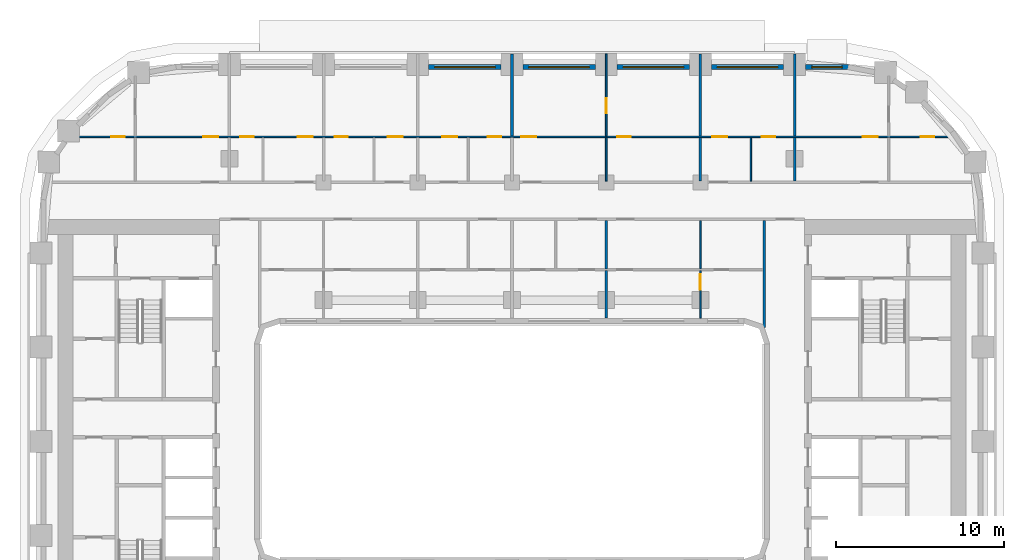
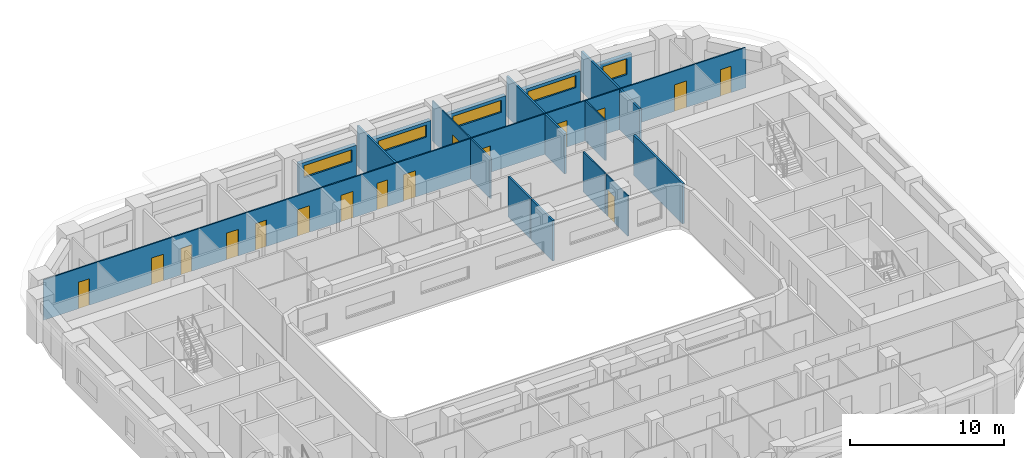
# One storey, part 9 of 21: 19 walls, 16 doors, 5 windows, 21 openings.
"""IFC4 building model written with IfcOpenShell, lengths in metres."""

from ifc_helpers import new_model, si_unit, direction, frame, frame_2d, origin, place, context, subcontext, project, spatial, rectangle, extrude, material, layer, layer_set, type_object, element, fill, save


model = new_model("IFC4")

# Units and contexts
model_context = context("Model", 3, precision=1e-05, world=origin(), true_north=direction((0.0, 1.0)))
body_context = subcontext(model_context, "Body", "Model", "MODEL_VIEW")
ifc_project = project(units=[si_unit("LENGTHUNIT", "METRE"), si_unit("AREAUNIT", "SQUARE_METRE"), si_unit("VOLUMEUNIT", "CUBIC_METRE"), si_unit("PLANEANGLEUNIT", "RADIAN"), si_unit("MASSUNIT", "GRAM", prefix="KILO")], contexts=[model_context])

# Site, building, storey
site_placement = place(None, origin())
site = spatial("IfcSite", under=ifc_project, at=site_placement, CompositionType="ELEMENT")
building_placement = place(site_placement, origin())
building = spatial("IfcBuilding", under=site, at=building_placement, Name="Kiln Ring Residences", CompositionType="ELEMENT")
storey_placement = place(building_placement, frame((0.0, 0.0, 100.800048828125)))
storey = spatial("IfcBuildingStorey", under=building, at=storey_placement, Name="L25", CompositionType="ELEMENT", Elevation=100.800048828125)

# Wall, opening, window
ifc_material_1 = material(Name="Brick masonry, dark clay brick", Category="masonry")
ifc_layer_1 = layer(ifc_material_1, 0.300048828125)
ifc_layer_set_1 = layer_set([ifc_layer_1], Name="EW-300 BRICK WALL")
wall_type_1 = type_object("IfcWallType", Name="EW-300 BRICK WALL", PredefinedType="SOLIDWALL", material=ifc_layer_set_1)
wall_1_placement = place(storey_placement, frame((20.0, 22.25, 0.0), z_axis=(0.0, 0.0, 1.0), x_axis=(-1.0, 0.0, 0.0)))
wall_1 = element("IfcWall", 1, at=wall_1_placement, inside=storey, type_object=wall_type_1, Name="Facade wall L25 28", PredefinedType="SOLIDWALL", context=body_context, shape_type="SweptSolid", body=[
    extrude(rectangle(XDim=2.550048828125, YDim=0.300048828125, at=frame_2d((1.27490234375, 0.0))), origin(), (0.0, 0.0, 1.0), 2.39990234375),
])
opening_1_placement = place(wall_1_placement, frame((0.375, 0.0, 0.89990234375)))
opening_1 = element("IfcOpeningElement", 2, at=opening_1_placement, cuts=wall_1, Name="Opening W2", PredefinedType="OPENING", context=body_context, shape_type="SweptSolid", body=[
    extrude(rectangle(XDim=1.800048828125, YDim=1.25, at=frame_2d((0.89990234375, 0.625))), frame((0.0, 0.159912109375, 0.0), z_axis=(0.0, -1.0, 0.0), x_axis=(1.0, 0.0, 0.0)), (0.0, 0.0, 1.0), 0.320068359375),
])
ifc_material_2 = material(Name="Aluminium frame with double glazing", Category="aluminium")
window_type_1 = type_object("IfcWindowType", Name="WINDOW 1800 x 1250", PartitioningType="SINGLE_PANEL", PredefinedType="WINDOW", material=ifc_material_2)
window_1_placement = place(opening_1_placement, origin())
window_1 = element("IfcWindow", 3, at=window_1_placement, inside=storey, type_object=window_type_1, Name="Window L25 13", OverallHeight=1.25, OverallWidth=1.800048828125, PartitioningType="SINGLE_PANEL", PredefinedType="WINDOW", context=body_context, shape_type="SweptSolid", body=[
    extrude(rectangle(XDim=1.800048828125, YDim=1.25, at=frame_2d((0.89990234375, 0.625))), frame((0.0, 0.030029296875, 0.0), z_axis=(0.0, -1.0, 0.0), x_axis=(1.0, 0.0, 0.0)), (0.0, 0.0, 1.0), 0.06005859375),
])
fill(opening_1, window_1)

wall_2_placement = place(storey_placement, frame((16.14990234375, 22.25, 0.0), z_axis=(0.0, 0.0, 1.0), x_axis=(-1.0, 0.0, 0.0)))
wall_2 = element("IfcWall", 4, at=wall_2_placement, inside=storey, type_object=wall_type_1, Name="Facade wall L25 29", PredefinedType="SOLIDWALL", context=body_context, shape_type="SweptSolid", body=[
    extrude(rectangle(XDim=4.2998046875, YDim=0.300048828125, at=frame_2d((2.14990234375, 0.0))), origin(), (0.0, 0.0, 1.0), 2.39990234375),
])
opening_2_placement = place(wall_2_placement, frame((0.35009765625, 0.0, 1.199951171875)))
opening_2 = element("IfcOpeningElement", 5, at=opening_2_placement, cuts=wall_2, Name="Opening W4", PredefinedType="OPENING", context=body_context, shape_type="SweptSolid", body=[
    extrude(rectangle(XDim=3.60009765625, YDim=0.949951171875, at=frame_2d((1.800048828125, 0.47509765625))), frame((0.0, 0.159912109375, 0.0), z_axis=(0.0, -1.0, 0.0), x_axis=(1.0, 0.0, 0.0)), (0.0, 0.0, 1.0), 0.320068359375),
])
ifc_material_3 = material(Name="Aluminium frame with double glazing", Category="aluminium")
window_type_2 = type_object("IfcWindowType", Name="WINDOW 3600 x 950", PartitioningType="SINGLE_PANEL", PredefinedType="WINDOW", material=ifc_material_3)
window_2_placement = place(opening_2_placement, origin())
window_2 = element("IfcWindow", 6, at=window_2_placement, inside=storey, type_object=window_type_2, Name="Window L25 14", OverallHeight=0.949951171875, OverallWidth=3.60009765625, PartitioningType="SINGLE_PANEL", PredefinedType="WINDOW", context=body_context, shape_type="SweptSolid", body=[
    extrude(rectangle(XDim=3.60009765625, YDim=0.949951171875, at=frame_2d((1.800048828125, 0.47509765625))), frame((0.0, 0.030029296875, 0.0), z_axis=(0.0, -1.0, 0.0), x_axis=(1.0, 0.0, 0.0)), (0.0, 0.0, 1.0), 0.06005859375),
])
fill(opening_2, window_2)

wall_3_placement = place(storey_placement, frame((10.550048828125, 22.25, 0.0), z_axis=(0.0, 0.0, 1.0), x_axis=(-1.0, 0.0, 0.0)))
wall_3 = element("IfcWall", 7, at=wall_3_placement, inside=storey, type_object=wall_type_1, Name="Facade wall L25 30", PredefinedType="SOLIDWALL", context=body_context, shape_type="SweptSolid", body=[
    extrude(rectangle(XDim=4.300048828125, YDim=0.300048828125, at=frame_2d((2.14990234375, 0.0))), origin(), (0.0, 0.0, 1.0), 2.39990234375),
])
opening_3_placement = place(wall_3_placement, frame((0.35009765625, 0.0, 1.199951171875)))
opening_3 = element("IfcOpeningElement", 8, at=opening_3_placement, cuts=wall_3, Name="Opening W4", PredefinedType="OPENING", context=body_context, shape_type="SweptSolid", body=[
    extrude(rectangle(XDim=3.60009765625, YDim=0.949951171875, at=frame_2d((1.800048828125, 0.47509765625))), frame((0.0, 0.159912109375, 0.0), z_axis=(0.0, -1.0, 0.0), x_axis=(1.0, 0.0, 0.0)), (0.0, 0.0, 1.0), 0.320068359375),
])
window_3_placement = place(opening_3_placement, origin())
window_3 = element("IfcWindow", 9, at=window_3_placement, inside=storey, type_object=window_type_2, Name="Window L25 15", OverallHeight=0.949951171875, OverallWidth=3.60009765625, PartitioningType="SINGLE_PANEL", PredefinedType="WINDOW", context=body_context, shape_type="SweptSolid", body=[
    extrude(rectangle(XDim=3.60009765625, YDim=0.949951171875, at=frame_2d((1.800048828125, 0.47509765625))), frame((0.0, 0.030029296875, 0.0), z_axis=(0.0, -1.0, 0.0), x_axis=(1.0, 0.0, 0.0)), (0.0, 0.0, 1.0), 0.06005859375),
])
fill(opening_3, window_3)

wall_4_placement = place(storey_placement, frame((4.949951171875, 22.25, 0.0), z_axis=(0.0, 0.0, 1.0), x_axis=(-1.0, 0.0, 0.0)))
wall_4 = element("IfcWall", 10, at=wall_4_placement, inside=storey, type_object=wall_type_1, Name="Facade wall L25 31", PredefinedType="SOLIDWALL", context=body_context, shape_type="SweptSolid", body=[
    extrude(rectangle(XDim=4.300048828125, YDim=0.300048828125, at=frame_2d((2.14990234375, 0.0))), origin(), (0.0, 0.0, 1.0), 2.39990234375),
])
opening_4_placement = place(wall_4_placement, frame((0.35009765625, 0.0, 1.199951171875)))
opening_4 = element("IfcOpeningElement", 11, at=opening_4_placement, cuts=wall_4, Name="Opening W4", PredefinedType="OPENING", context=body_context, shape_type="SweptSolid", body=[
    extrude(rectangle(XDim=3.60009765625, YDim=0.949951171875, at=frame_2d((1.800048828125, 0.47509765625))), frame((0.0, 0.159912109375, 0.0), z_axis=(0.0, -1.0, 0.0), x_axis=(1.0, 0.0, 0.0)), (0.0, 0.0, 1.0), 0.320068359375),
])
window_4_placement = place(opening_4_placement, origin())
window_4 = element("IfcWindow", 12, at=window_4_placement, inside=storey, type_object=window_type_2, Name="Window L25 16", OverallHeight=0.949951171875, OverallWidth=3.60009765625, PartitioningType="SINGLE_PANEL", PredefinedType="WINDOW", context=body_context, shape_type="SweptSolid", body=[
    extrude(rectangle(XDim=3.60009765625, YDim=0.949951171875, at=frame_2d((1.800048828125, 0.47509765625))), frame((0.0, 0.030029296875, 0.0), z_axis=(0.0, -1.0, 0.0), x_axis=(1.0, 0.0, 0.0)), (0.0, 0.0, 1.0), 0.06005859375),
])
fill(opening_4, window_4)

wall_5_placement = place(storey_placement, frame((-0.64990234375, 22.25, 0.0), z_axis=(0.0, 0.0, 1.0), x_axis=(-1.0, 0.0, 0.0)))
wall_5 = element("IfcWall", 13, at=wall_5_placement, inside=storey, type_object=wall_type_1, Name="Facade wall L25 32", PredefinedType="SOLIDWALL", context=body_context, shape_type="SweptSolid", body=[
    extrude(rectangle(XDim=4.300048828125, YDim=0.300048828125, at=frame_2d((2.14990234375, 0.0))), origin(), (0.0, 0.0, 1.0), 2.39990234375),
])
opening_5_placement = place(wall_5_placement, frame((0.35009765625, 0.0, 1.199951171875)))
opening_5 = element("IfcOpeningElement", 14, at=opening_5_placement, cuts=wall_5, Name="Opening W4", PredefinedType="OPENING", context=body_context, shape_type="SweptSolid", body=[
    extrude(rectangle(XDim=3.60009765625, YDim=0.949951171875, at=frame_2d((1.800048828125, 0.47509765625))), frame((0.0, 0.159912109375, 0.0), z_axis=(0.0, -1.0, 0.0), x_axis=(1.0, 0.0, 0.0)), (0.0, 0.0, 1.0), 0.320068359375),
])
window_5_placement = place(opening_5_placement, origin())
window_5 = element("IfcWindow", 15, at=window_5_placement, inside=storey, type_object=window_type_2, Name="Window L25 17", OverallHeight=0.949951171875, OverallWidth=3.60009765625, PartitioningType="SINGLE_PANEL", PredefinedType="WINDOW", context=body_context, shape_type="SweptSolid", body=[
    extrude(rectangle(XDim=3.60009765625, YDim=0.949951171875, at=frame_2d((1.800048828125, 0.47509765625))), frame((0.0, 0.030029296875, 0.0), z_axis=(0.0, -1.0, 0.0), x_axis=(1.0, 0.0, 0.0)), (0.0, 0.0, 1.0), 0.06005859375),
])
fill(opening_5, window_5)

# Wall, openings, doors
ifc_material_4 = material(Name="Gypsum board on steel studs", Category="steel")
ifc_layer_2 = layer(ifc_material_4, 0.10009765625)
ifc_layer_set_2 = layer_set([ifc_layer_2], Name="PARTITION-100")
wall_type_2 = type_object("IfcWallType", Name="PARTITION-100", PredefinedType="PARTITIONING", material=ifc_layer_set_2)
wall_6_placement = place(storey_placement, frame((-26.43994140625, 18.10009765625, 0.0), z_axis=(0.0, 0.0, 1.0), x_axis=(1.0, 0.0, 0.0)))
wall_6 = element("IfcWall", 16, at=wall_6_placement, inside=storey, type_object=wall_type_2, Name="Partition 007", PredefinedType="PARTITIONING", context=body_context, shape_type="SweptSolid", body=[
    extrude(rectangle(XDim=52.630126953125, YDim=0.10009765625, at=frame_2d((26.31494140625, 0.0))), origin(), (0.0, 0.0, 1.0), 3.199951171875),
])
opening_6_placement = place(wall_6_placement, frame((2.6259765625, 0.0, 0.0)))
opening_6 = element("IfcOpeningElement", 17, at=opening_6_placement, cuts=wall_6, Name="Opening L25-D020", PredefinedType="OPENING", context=body_context, shape_type="SweptSolid", body=[
    extrude(rectangle(XDim=0.800048828125, YDim=2.10009765625, at=frame_2d((0.39990234375, 1.050048828125))), frame((0.0, 0.06005859375, 0.0), z_axis=(0.0, -1.0, 0.0), x_axis=(1.0, 0.0, 0.0)), (0.0, 0.0, 1.0), 0.1201171875),
])
opening_7_placement = place(wall_6_placement, frame((8.090087890625, 0.0, 0.0)))
opening_7 = element("IfcOpeningElement", 18, at=opening_7_placement, cuts=wall_6, Name="Opening L25-D021", PredefinedType="OPENING", context=body_context, shape_type="SweptSolid", body=[
    extrude(rectangle(XDim=0.89990234375, YDim=2.10009765625, at=frame_2d((0.449951171875, 1.050048828125))), frame((0.0, 0.06005859375, 0.0), z_axis=(0.0, -1.0, 0.0), x_axis=(1.0, 0.0, 0.0)), (0.0, 0.0, 1.0), 0.1201171875),
])
opening_8_placement = place(wall_6_placement, frame((10.2900390625, 0.0, 0.0)))
opening_8 = element("IfcOpeningElement", 19, at=opening_8_placement, cuts=wall_6, Name="Opening L25-D024", PredefinedType="OPENING", context=body_context, shape_type="SweptSolid", body=[
    extrude(rectangle(XDim=0.800048828125, YDim=2.10009765625, at=frame_2d((0.39990234375, 1.050048828125))), frame((0.0, 0.06005859375, 0.0), z_axis=(0.0, -1.0, 0.0), x_axis=(1.0, 0.0, 0.0)), (0.0, 0.0, 1.0), 0.1201171875),
])
opening_9_placement = place(wall_6_placement, frame((13.68994140625, 0.0, 0.0)))
opening_9 = element("IfcOpeningElement", 20, at=opening_9_placement, cuts=wall_6, Name="Opening L25-D025", PredefinedType="OPENING", context=body_context, shape_type="SweptSolid", body=[
    extrude(rectangle(XDim=0.89990234375, YDim=2.10009765625, at=frame_2d((0.449951171875, 1.050048828125))), frame((0.0, 0.06005859375, 0.0), z_axis=(0.0, -1.0, 0.0), x_axis=(1.0, 0.0, 0.0)), (0.0, 0.0, 1.0), 0.1201171875),
])
opening_10_placement = place(wall_6_placement, frame((15.889892578125, 0.0, 0.0)))
opening_10 = element("IfcOpeningElement", 21, at=opening_10_placement, cuts=wall_6, Name="Opening L25-D027", PredefinedType="OPENING", context=body_context, shape_type="SweptSolid", body=[
    extrude(rectangle(XDim=0.800048828125, YDim=2.10009765625, at=frame_2d((0.39990234375, 1.050048828125))), frame((0.0, 0.06005859375, 0.0), z_axis=(0.0, -1.0, 0.0), x_axis=(1.0, 0.0, 0.0)), (0.0, 0.0, 1.0), 0.1201171875),
])
opening_11_placement = place(wall_6_placement, frame((19.0400390625, 0.0, 0.0)))
opening_11 = element("IfcOpeningElement", 22, at=opening_11_placement, cuts=wall_6, Name="Opening L25-D028", PredefinedType="OPENING", context=body_context, shape_type="SweptSolid", body=[
    extrude(rectangle(XDim=0.89990234375, YDim=2.10009765625, at=frame_2d((0.449951171875, 1.050048828125))), frame((0.0, 0.06005859375, 0.0), z_axis=(0.0, -1.0, 0.0), x_axis=(1.0, 0.0, 0.0)), (0.0, 0.0, 1.0), 0.1201171875),
])
opening_12_placement = place(wall_6_placement, frame((24.989990234375, 0.0, 0.0)))
opening_12 = element("IfcOpeningElement", 23, at=opening_12_placement, cuts=wall_6, Name="Opening L25-D030", PredefinedType="OPENING", context=body_context, shape_type="SweptSolid", body=[
    extrude(rectangle(XDim=0.800048828125, YDim=2.10009765625, at=frame_2d((0.39990234375, 1.050048828125))), frame((0.0, 0.06005859375, 0.0), z_axis=(0.0, -1.0, 0.0), x_axis=(1.0, 0.0, 0.0)), (0.0, 0.0, 1.0), 0.1201171875),
])
opening_13_placement = place(wall_6_placement, frame((22.2900390625, 0.0, 0.0)))
opening_13 = element("IfcOpeningElement", 24, at=opening_13_placement, cuts=wall_6, Name="Opening L25-D031", PredefinedType="OPENING", context=body_context, shape_type="SweptSolid", body=[
    extrude(rectangle(XDim=0.89990234375, YDim=2.10009765625, at=frame_2d((0.449951171875, 1.050048828125))), frame((0.0, 0.06005859375, 0.0), z_axis=(0.0, -1.0, 0.0), x_axis=(1.0, 0.0, 0.0)), (0.0, 0.0, 1.0), 0.1201171875),
])
opening_14_placement = place(wall_6_placement, frame((32.68994140625, 0.0, 0.0)))
opening_14 = element("IfcOpeningElement", 25, at=opening_14_placement, cuts=wall_6, Name="Opening L25-D033", PredefinedType="OPENING", context=body_context, shape_type="SweptSolid", body=[
    extrude(rectangle(XDim=0.800048828125, YDim=2.10009765625, at=frame_2d((0.39990234375, 1.050048828125))), frame((0.0, 0.06005859375, 0.0), z_axis=(0.0, -1.0, 0.0), x_axis=(1.0, 0.0, 0.0)), (0.0, 0.0, 1.0), 0.1201171875),
])
opening_15_placement = place(wall_6_placement, frame((26.989990234375, 0.0, 0.0)))
opening_15 = element("IfcOpeningElement", 26, at=opening_15_placement, cuts=wall_6, Name="Opening L25-D034", PredefinedType="OPENING", context=body_context, shape_type="SweptSolid", body=[
    extrude(rectangle(XDim=0.89990234375, YDim=2.10009765625, at=frame_2d((0.449951171875, 1.050048828125))), frame((0.0, 0.06005859375, 0.0), z_axis=(0.0, -1.0, 0.0), x_axis=(1.0, 0.0, 0.0)), (0.0, 0.0, 1.0), 0.1201171875),
])
opening_16_placement = place(wall_6_placement, frame((41.2900390625, 0.0, 0.0)))
opening_16 = element("IfcOpeningElement", 27, at=opening_16_placement, cuts=wall_6, Name="Opening L25-D037", PredefinedType="OPENING", context=body_context, shape_type="SweptSolid", body=[
    extrude(rectangle(XDim=0.800048828125, YDim=2.10009765625, at=frame_2d((0.39990234375, 1.050048828125))), frame((0.0, 0.06005859375, 0.0), z_axis=(0.0, -1.0, 0.0), x_axis=(1.0, 0.0, 0.0)), (0.0, 0.0, 1.0), 0.1201171875),
])
opening_17_placement = place(wall_6_placement, frame((38.340087890625, 0.0, 0.0)))
opening_17 = element("IfcOpeningElement", 28, at=opening_17_placement, cuts=wall_6, Name="Opening L25-D038", PredefinedType="OPENING", context=body_context, shape_type="SweptSolid", body=[
    extrude(rectangle(XDim=0.89990234375, YDim=2.10009765625, at=frame_2d((0.449951171875, 1.050048828125))), frame((0.0, 0.06005859375, 0.0), z_axis=(0.0, -1.0, 0.0), x_axis=(1.0, 0.0, 0.0)), (0.0, 0.0, 1.0), 0.1201171875),
])
opening_18_placement = place(wall_6_placement, frame((50.739990234375, 0.0, 0.0)))
opening_18 = element("IfcOpeningElement", 29, at=opening_18_placement, cuts=wall_6, Name="Opening L25-D040", PredefinedType="OPENING", context=body_context, shape_type="SweptSolid", body=[
    extrude(rectangle(XDim=0.800048828125, YDim=2.10009765625, at=frame_2d((0.39990234375, 1.050048828125))), frame((0.0, 0.06005859375, 0.0), z_axis=(0.0, -1.0, 0.0), x_axis=(1.0, 0.0, 0.0)), (0.0, 0.0, 1.0), 0.1201171875),
])
opening_19_placement = place(wall_6_placement, frame((47.2900390625, 0.0, 0.0)))
opening_19 = element("IfcOpeningElement", 30, at=opening_19_placement, cuts=wall_6, Name="Opening L25-D041", PredefinedType="OPENING", context=body_context, shape_type="SweptSolid", body=[
    extrude(rectangle(XDim=0.89990234375, YDim=2.10009765625, at=frame_2d((0.449951171875, 1.050048828125))), frame((0.0, 0.06005859375, 0.0), z_axis=(0.0, -1.0, 0.0), x_axis=(1.0, 0.0, 0.0)), (0.0, 0.0, 1.0), 0.1201171875),
])
ifc_material_5 = material(Name="Timber door leaf", Category="wood")
door_type_1 = type_object("IfcDoorType", Name="FLAT-DOOR-800-PL", OperationType="SINGLE_SWING_LEFT", PredefinedType="DOOR", material=ifc_material_5)
door_1_placement = place(opening_6_placement, origin())
door_1 = element("IfcDoor", 31, at=door_1_placement, inside=storey, type_object=door_type_1, Name="Door L25-D020", OperationType="SINGLE_SWING_RIGHT", OverallHeight=2.10009765625, OverallWidth=0.800048828125, PredefinedType="DOOR", context=body_context, shape_type="SweptSolid", body=[
    extrude(rectangle(XDim=0.800048828125, YDim=2.10009765625, at=frame_2d((0.39990234375, 1.050048828125))), frame((0.0, 0.02490234375, 0.0), z_axis=(0.0, -1.0, 0.0), x_axis=(1.0, 0.0, 0.0)), (0.0, 0.0, 1.0), 0.050048828125),
])
fill(opening_6, door_1)
door_2_placement = place(opening_8_placement, origin())
door_2 = element("IfcDoor", 32, at=door_2_placement, inside=storey, type_object=door_type_1, Name="Door L25-D024", OperationType="SINGLE_SWING_RIGHT", OverallHeight=2.10009765625, OverallWidth=0.800048828125, PredefinedType="DOOR", context=body_context, shape_type="SweptSolid", body=[
    extrude(rectangle(XDim=0.800048828125, YDim=2.10009765625, at=frame_2d((0.39990234375, 1.050048828125))), frame((0.0, 0.02490234375, 0.0), z_axis=(0.0, -1.0, 0.0), x_axis=(1.0, 0.0, 0.0)), (0.0, 0.0, 1.0), 0.050048828125),
])
fill(opening_8, door_2)
door_3_placement = place(opening_10_placement, origin())
door_3 = element("IfcDoor", 33, at=door_3_placement, inside=storey, type_object=door_type_1, Name="Door L25-D027", OperationType="SINGLE_SWING_LEFT", OverallHeight=2.10009765625, OverallWidth=0.800048828125, PredefinedType="DOOR", context=body_context, shape_type="SweptSolid", body=[
    extrude(rectangle(XDim=0.800048828125, YDim=2.10009765625, at=frame_2d((0.39990234375, 1.050048828125))), frame((0.0, 0.02490234375, 0.0), z_axis=(0.0, -1.0, 0.0), x_axis=(1.0, 0.0, 0.0)), (0.0, 0.0, 1.0), 0.050048828125),
])
fill(opening_10, door_3)
door_4_placement = place(opening_12_placement, origin())
door_4 = element("IfcDoor", 34, at=door_4_placement, inside=storey, type_object=door_type_1, Name="Door L25-D030", OperationType="SINGLE_SWING_RIGHT", OverallHeight=2.10009765625, OverallWidth=0.800048828125, PredefinedType="DOOR", context=body_context, shape_type="SweptSolid", body=[
    extrude(rectangle(XDim=0.800048828125, YDim=2.10009765625, at=frame_2d((0.39990234375, 1.050048828125))), frame((0.0, 0.02490234375, 0.0), z_axis=(0.0, -1.0, 0.0), x_axis=(1.0, 0.0, 0.0)), (0.0, 0.0, 1.0), 0.050048828125),
])
fill(opening_12, door_4)
door_5_placement = place(opening_14_placement, origin())
door_5 = element("IfcDoor", 35, at=door_5_placement, inside=storey, type_object=door_type_1, Name="Door L25-D033", OperationType="SINGLE_SWING_LEFT", OverallHeight=2.10009765625, OverallWidth=0.800048828125, PredefinedType="DOOR", context=body_context, shape_type="SweptSolid", body=[
    extrude(rectangle(XDim=0.800048828125, YDim=2.10009765625, at=frame_2d((0.39990234375, 1.050048828125))), frame((0.0, 0.02490234375, 0.0), z_axis=(0.0, -1.0, 0.0), x_axis=(1.0, 0.0, 0.0)), (0.0, 0.0, 1.0), 0.050048828125),
])
fill(opening_14, door_5)
door_6_placement = place(opening_16_placement, origin())
door_6 = element("IfcDoor", 36, at=door_6_placement, inside=storey, type_object=door_type_1, Name="Door L25-D037", OperationType="SINGLE_SWING_LEFT", OverallHeight=2.10009765625, OverallWidth=0.800048828125, PredefinedType="DOOR", context=body_context, shape_type="SweptSolid", body=[
    extrude(rectangle(XDim=0.800048828125, YDim=2.10009765625, at=frame_2d((0.39990234375, 1.050048828125))), frame((0.0, 0.02490234375, 0.0), z_axis=(0.0, -1.0, 0.0), x_axis=(1.0, 0.0, 0.0)), (0.0, 0.0, 1.0), 0.050048828125),
])
fill(opening_16, door_6)
door_7_placement = place(opening_18_placement, origin())
door_7 = element("IfcDoor", 37, at=door_7_placement, inside=storey, type_object=door_type_1, Name="Door L25-D040", OperationType="SINGLE_SWING_RIGHT", OverallHeight=2.10009765625, OverallWidth=0.800048828125, PredefinedType="DOOR", context=body_context, shape_type="SweptSolid", body=[
    extrude(rectangle(XDim=0.800048828125, YDim=2.10009765625, at=frame_2d((0.39990234375, 1.050048828125))), frame((0.0, 0.02490234375, 0.0), z_axis=(0.0, -1.0, 0.0), x_axis=(1.0, 0.0, 0.0)), (0.0, 0.0, 1.0), 0.050048828125),
])
fill(opening_18, door_7)
ifc_material_6 = material(Name="Timber door leaf", Category="wood")
door_type_2 = type_object("IfcDoorType", Name="FLAT-DOOR-900-PL", OperationType="SINGLE_SWING_LEFT", PredefinedType="DOOR", material=ifc_material_6)
door_8_placement = place(opening_7_placement, origin())
door_8 = element("IfcDoor", 38, at=door_8_placement, inside=storey, type_object=door_type_2, Name="Door L25-D021", OperationType="SINGLE_SWING_LEFT", OverallHeight=2.10009765625, OverallWidth=0.89990234375, PredefinedType="DOOR", context=body_context, shape_type="SweptSolid", body=[
    extrude(rectangle(XDim=0.89990234375, YDim=2.10009765625, at=frame_2d((0.449951171875, 1.050048828125))), frame((0.0, 0.02490234375, 0.0), z_axis=(0.0, -1.0, 0.0), x_axis=(1.0, 0.0, 0.0)), (0.0, 0.0, 1.0), 0.050048828125),
])
fill(opening_7, door_8)
door_9_placement = place(opening_9_placement, origin())
door_9 = element("IfcDoor", 39, at=door_9_placement, inside=storey, type_object=door_type_2, Name="Door L25-D025", OperationType="SINGLE_SWING_LEFT", OverallHeight=2.10009765625, OverallWidth=0.89990234375, PredefinedType="DOOR", context=body_context, shape_type="SweptSolid", body=[
    extrude(rectangle(XDim=0.89990234375, YDim=2.10009765625, at=frame_2d((0.449951171875, 1.050048828125))), frame((0.0, 0.02490234375, 0.0), z_axis=(0.0, -1.0, 0.0), x_axis=(1.0, 0.0, 0.0)), (0.0, 0.0, 1.0), 0.050048828125),
])
fill(opening_9, door_9)
door_10_placement = place(opening_11_placement, origin())
door_10 = element("IfcDoor", 40, at=door_10_placement, inside=storey, type_object=door_type_2, Name="Door L25-D028", OperationType="SINGLE_SWING_RIGHT", OverallHeight=2.10009765625, OverallWidth=0.89990234375, PredefinedType="DOOR", context=body_context, shape_type="SweptSolid", body=[
    extrude(rectangle(XDim=0.89990234375, YDim=2.10009765625, at=frame_2d((0.449951171875, 1.050048828125))), frame((0.0, 0.02490234375, 0.0), z_axis=(0.0, -1.0, 0.0), x_axis=(1.0, 0.0, 0.0)), (0.0, 0.0, 1.0), 0.050048828125),
])
fill(opening_11, door_10)
door_11_placement = place(opening_13_placement, origin())
door_11 = element("IfcDoor", 41, at=door_11_placement, inside=storey, type_object=door_type_2, Name="Door L25-D031", OperationType="SINGLE_SWING_LEFT", OverallHeight=2.10009765625, OverallWidth=0.89990234375, PredefinedType="DOOR", context=body_context, shape_type="SweptSolid", body=[
    extrude(rectangle(XDim=0.89990234375, YDim=2.10009765625, at=frame_2d((0.449951171875, 1.050048828125))), frame((0.0, 0.02490234375, 0.0), z_axis=(0.0, -1.0, 0.0), x_axis=(1.0, 0.0, 0.0)), (0.0, 0.0, 1.0), 0.050048828125),
])
fill(opening_13, door_11)
door_12_placement = place(opening_15_placement, origin())
door_12 = element("IfcDoor", 42, at=door_12_placement, inside=storey, type_object=door_type_2, Name="Door L25-D034", OperationType="SINGLE_SWING_RIGHT", OverallHeight=2.10009765625, OverallWidth=0.89990234375, PredefinedType="DOOR", context=body_context, shape_type="SweptSolid", body=[
    extrude(rectangle(XDim=0.89990234375, YDim=2.10009765625, at=frame_2d((0.449951171875, 1.050048828125))), frame((0.0, 0.02490234375, 0.0), z_axis=(0.0, -1.0, 0.0), x_axis=(1.0, 0.0, 0.0)), (0.0, 0.0, 1.0), 0.050048828125),
])
fill(opening_15, door_12)
door_13_placement = place(opening_17_placement, origin())
door_13 = element("IfcDoor", 43, at=door_13_placement, inside=storey, type_object=door_type_2, Name="Door L25-D038", OperationType="SINGLE_SWING_RIGHT", OverallHeight=2.10009765625, OverallWidth=0.89990234375, PredefinedType="DOOR", context=body_context, shape_type="SweptSolid", body=[
    extrude(rectangle(XDim=0.89990234375, YDim=2.10009765625, at=frame_2d((0.449951171875, 1.050048828125))), frame((0.0, 0.02490234375, 0.0), z_axis=(0.0, -1.0, 0.0), x_axis=(1.0, 0.0, 0.0)), (0.0, 0.0, 1.0), 0.050048828125),
])
fill(opening_17, door_13)
door_14_placement = place(opening_19_placement, origin())
door_14 = element("IfcDoor", 44, at=door_14_placement, inside=storey, type_object=door_type_2, Name="Door L25-D041", OperationType="SINGLE_SWING_LEFT", OverallHeight=2.10009765625, OverallWidth=0.89990234375, PredefinedType="DOOR", context=body_context, shape_type="SweptSolid", body=[
    extrude(rectangle(XDim=0.89990234375, YDim=2.10009765625, at=frame_2d((0.449951171875, 1.050048828125))), frame((0.0, 0.02490234375, 0.0), z_axis=(0.0, -1.0, 0.0), x_axis=(1.0, 0.0, 0.0)), (0.0, 0.0, 1.0), 0.050048828125),
])
fill(opening_19, door_14)

# Wall
wall_7_placement = place(storey_placement, frame((5.60009765625, 15.47509765625, 0.0), z_axis=(0.0, 0.0, 1.0), x_axis=(0.0, 1.0, 0.0)))
element("IfcWall", 45, at=wall_7_placement, inside=storey, type_object=wall_type_2, Name="Partition 053", PredefinedType="PARTITIONING", context=body_context, shape_type="SweptSolid", body=[
    extrude(rectangle(XDim=2.574951171875, YDim=0.10009765625, at=frame_2d((1.28759765625, 0.0))), origin(), (0.0, 0.0, 1.0), 3.199951171875),
])

# Wall, opening, door
wall_8_placement = place(storey_placement, frame((5.60009765625, 18.14990234375, 0.0), z_axis=(0.0, 0.0, 1.0), x_axis=(0.0, 1.0, 0.0)))
wall_8 = element("IfcWall", 46, at=wall_8_placement, inside=storey, type_object=wall_type_2, Name="Partition 054", PredefinedType="PARTITIONING", context=body_context, shape_type="SweptSolid", body=[
    extrude(rectangle(XDim=4.880126953125, YDim=0.10009765625, at=frame_2d((2.43994140625, 0.0))), origin(), (0.0, 0.0, 1.0), 3.199951171875),
])
opening_20_placement = place(wall_8_placement, frame((1.35009765625, 0.0, 0.0)))
opening_20 = element("IfcOpeningElement", 47, at=opening_20_placement, cuts=wall_8, Name="Opening L25-D035", PredefinedType="OPENING", context=body_context, shape_type="SweptSolid", body=[
    extrude(rectangle(XDim=0.89990234375, YDim=2.10009765625, at=frame_2d((0.449951171875, 1.050048828125))), frame((0.0, 0.06005859375, 0.0), z_axis=(0.0, -1.0, 0.0), x_axis=(1.0, 0.0, 0.0)), (0.0, 0.0, 1.0), 0.1201171875),
])
door_15_placement = place(opening_20_placement, origin())
door_15 = element("IfcDoor", 48, at=door_15_placement, inside=storey, type_object=door_type_2, Name="Door L25-D035", OperationType="SINGLE_SWING_LEFT", OverallHeight=2.10009765625, OverallWidth=0.89990234375, PredefinedType="DOOR", context=body_context, shape_type="SweptSolid", body=[
    extrude(rectangle(XDim=0.89990234375, YDim=2.10009765625, at=frame_2d((0.449951171875, 1.050048828125))), frame((0.0, 0.02490234375, 0.0), z_axis=(0.0, -1.0, 0.0), x_axis=(1.0, 0.0, 0.0)), (0.0, 0.0, 1.0), 0.050048828125),
])
fill(opening_20, door_15)

wall_9_placement = place(storey_placement, frame((11.199951171875, 7.320068359375, 0.0), z_axis=(0.0, 0.0, 1.0), x_axis=(0.0, 1.0, 0.0)))
wall_9 = element("IfcWall", 49, at=wall_9_placement, inside=storey, type_object=wall_type_2, Name="Partition 062", PredefinedType="PARTITIONING", context=body_context, shape_type="SweptSolid", body=[
    extrude(rectangle(XDim=2.829833984375, YDim=0.10009765625, at=frame_2d((1.4150390625, 0.0))), origin(), (0.0, 0.0, 1.0), 3.199951171875),
])
opening_21_placement = place(wall_9_placement, frame((1.699951171875, 0.0, 0.0)))
opening_21 = element("IfcOpeningElement", 50, at=opening_21_placement, cuts=wall_9, Name="Opening L25-D018", PredefinedType="OPENING", context=body_context, shape_type="SweptSolid", body=[
    extrude(rectangle(XDim=0.89990234375, YDim=2.10009765625, at=frame_2d((0.449951171875, 1.050048828125))), frame((0.0, 0.06005859375, 0.0), z_axis=(0.0, -1.0, 0.0), x_axis=(1.0, 0.0, 0.0)), (0.0, 0.0, 1.0), 0.1201171875),
])
door_16_placement = place(opening_21_placement, origin())
door_16 = element("IfcDoor", 51, at=door_16_placement, inside=storey, type_object=door_type_2, Name="Door L25-D018", OperationType="SINGLE_SWING_RIGHT", OverallHeight=2.10009765625, OverallWidth=0.89990234375, PredefinedType="DOOR", context=body_context, shape_type="SweptSolid", body=[
    extrude(rectangle(XDim=0.89990234375, YDim=2.10009765625, at=frame_2d((0.449951171875, 1.050048828125))), frame((0.0, 0.02490234375, 0.0), z_axis=(0.0, -1.0, 0.0), x_axis=(1.0, 0.0, 0.0)), (0.0, 0.0, 1.0), 0.050048828125),
])
fill(opening_21, door_16)

# Walls
wall_10_placement = place(storey_placement, frame((11.199951171875, 10.25, 0.0), z_axis=(0.0, 0.0, 1.0), x_axis=(0.0, 1.0, 0.0)))
element("IfcWall", 52, at=wall_10_placement, inside=storey, type_object=wall_type_2, Name="Partition 063", PredefinedType="PARTITIONING", context=body_context, shape_type="SweptSolid", body=[
    extrude(rectangle(XDim=2.875, YDim=0.10009765625, at=frame_2d((1.4375, 0.0))), origin(), (0.0, 0.0, 1.0), 3.199951171875),
])
wall_11_placement = place(storey_placement, frame((14.199951171875, 15.47509765625, 0.0), z_axis=(0.0, 0.0, 1.0), x_axis=(0.0, 1.0, 0.0)))
element("IfcWall", 53, at=wall_11_placement, inside=storey, type_object=wall_type_2, Name="Partition 069", PredefinedType="PARTITIONING", context=body_context, shape_type="SweptSolid", body=[
    extrude(rectangle(XDim=2.574951171875, YDim=0.10009765625, at=frame_2d((1.28759765625, 0.0))), origin(), (0.0, 0.0, 1.0), 3.199951171875),
])
ifc_material_7 = material(Name="Brick masonry partition", Category="masonry")
ifc_layer_3 = layer(ifc_material_7, 0.14990234375)
ifc_layer_set_3 = layer_set([ifc_layer_3], Name="PARTITION-150-ei60")
wall_type_3 = type_object("IfcWallType", Name="PARTITION-150-ei60", PredefinedType="PARTITIONING", material=ifc_layer_set_3)
wall_12_placement = place(storey_placement, frame((0.0, 18.14990234375, 0.0), z_axis=(0.0, 0.0, 1.0), x_axis=(0.0, 1.0, 0.0)))
element("IfcWall", 54, at=wall_12_placement, inside=storey, type_object=wall_type_3, Name="Partition 047", PredefinedType="PARTITIONING", context=body_context, shape_type="SweptSolid", body=[
    extrude(rectangle(XDim=4.880126953125, YDim=0.14990234375, at=frame_2d((2.43994140625, 0.0))), origin(), (0.0, 0.0, 1.0), 3.199951171875),
])
wall_13_placement = place(storey_placement, frame((5.60009765625, 7.320068359375, 0.0), z_axis=(0.0, 0.0, 1.0), x_axis=(0.0, 1.0, 0.0)))
element("IfcWall", 55, at=wall_13_placement, inside=storey, type_object=wall_type_3, Name="Partition 057", PredefinedType="PARTITIONING", context=body_context, shape_type="SweptSolid", body=[
    extrude(rectangle(XDim=2.829833984375, YDim=0.14990234375, at=frame_2d((1.4150390625, 0.0))), origin(), (0.0, 0.0, 1.0), 3.199951171875),
])
wall_14_placement = place(storey_placement, frame((5.60009765625, 10.25, 0.0), z_axis=(0.0, 0.0, 1.0), x_axis=(0.0, 1.0, 0.0)))
element("IfcWall", 56, at=wall_14_placement, inside=storey, type_object=wall_type_3, Name="Partition 058", PredefinedType="PARTITIONING", context=body_context, shape_type="SweptSolid", body=[
    extrude(rectangle(XDim=2.875, YDim=0.14990234375, at=frame_2d((1.4375, 0.0))), origin(), (0.0, 0.0, 1.0), 3.199951171875),
])
wall_15_placement = place(storey_placement, frame((11.199951171875, 15.47509765625, 0.0), z_axis=(0.0, 0.0, 1.0), x_axis=(0.0, 1.0, 0.0)))
element("IfcWall", 57, at=wall_15_placement, inside=storey, type_object=wall_type_3, Name="Partition 066", PredefinedType="PARTITIONING", context=body_context, shape_type="SweptSolid", body=[
    extrude(rectangle(XDim=2.574951171875, YDim=0.14990234375, at=frame_2d((1.28759765625, 0.0))), origin(), (0.0, 0.0, 1.0), 3.199951171875),
])
wall_16_placement = place(storey_placement, frame((11.199951171875, 18.14990234375, 0.0), z_axis=(0.0, 0.0, 1.0), x_axis=(0.0, 1.0, 0.0)))
element("IfcWall", 58, at=wall_16_placement, inside=storey, type_object=wall_type_3, Name="Partition 067", PredefinedType="PARTITIONING", context=body_context, shape_type="SweptSolid", body=[
    extrude(rectangle(XDim=4.880126953125, YDim=0.14990234375, at=frame_2d((2.43994140625, 0.0))), origin(), (0.0, 0.0, 1.0), 3.199951171875),
])
wall_17_placement = place(storey_placement, frame((15.0, 6.768798828125, 0.0), z_axis=(0.0, 0.0, 1.0), x_axis=(0.0, 1.0, 0.0)))
element("IfcWall", 59, at=wall_17_placement, inside=storey, type_object=wall_type_3, Name="Partition 071", PredefinedType="PARTITIONING", context=body_context, shape_type="SweptSolid", body=[
    extrude(rectangle(XDim=6.356201171875, YDim=0.14990234375, at=frame_2d((3.17822265625, 0.0))), origin(), (0.0, 0.0, 1.0), 3.199951171875),
])
wall_18_placement = place(storey_placement, frame((16.800048828125, 15.47509765625, 0.0), z_axis=(0.0, 0.0, 1.0), x_axis=(0.0, 1.0, 0.0)))
element("IfcWall", 60, at=wall_18_placement, inside=storey, type_object=wall_type_3, Name="Partition 074", PredefinedType="PARTITIONING", context=body_context, shape_type="SweptSolid", body=[
    extrude(rectangle(XDim=2.574951171875, YDim=0.14990234375, at=frame_2d((1.28759765625, 0.0))), origin(), (0.0, 0.0, 1.0), 3.199951171875),
])
wall_19_placement = place(storey_placement, frame((16.800048828125, 18.14990234375, 0.0), z_axis=(0.0, 0.0, 1.0), x_axis=(0.0, 1.0, 0.0)))
element("IfcWall", 61, at=wall_19_placement, inside=storey, type_object=wall_type_3, Name="Partition 075", PredefinedType="PARTITIONING", context=body_context, shape_type="SweptSolid", body=[
    extrude(rectangle(XDim=4.880126953125, YDim=0.14990234375, at=frame_2d((2.43994140625, 0.0))), origin(), (0.0, 0.0, 1.0), 3.199951171875),
])

save(model, "model.ifc")
